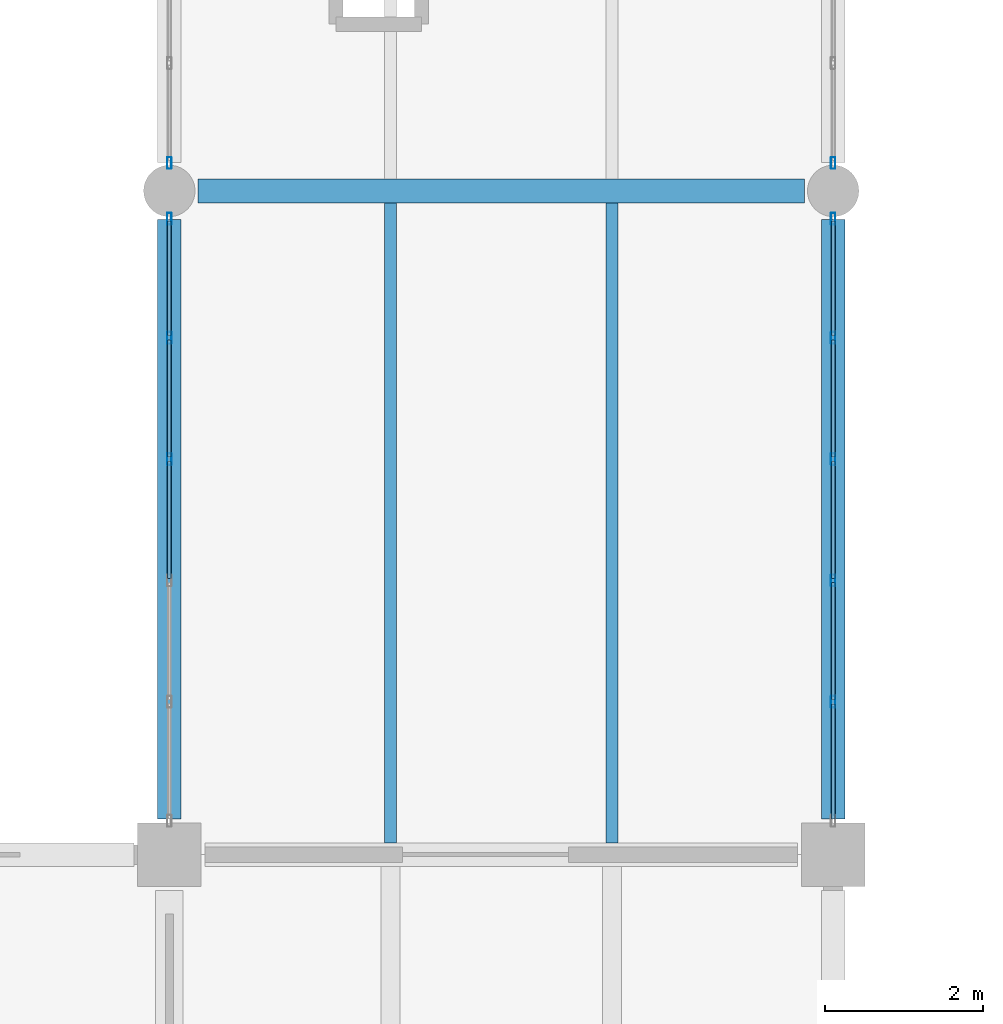
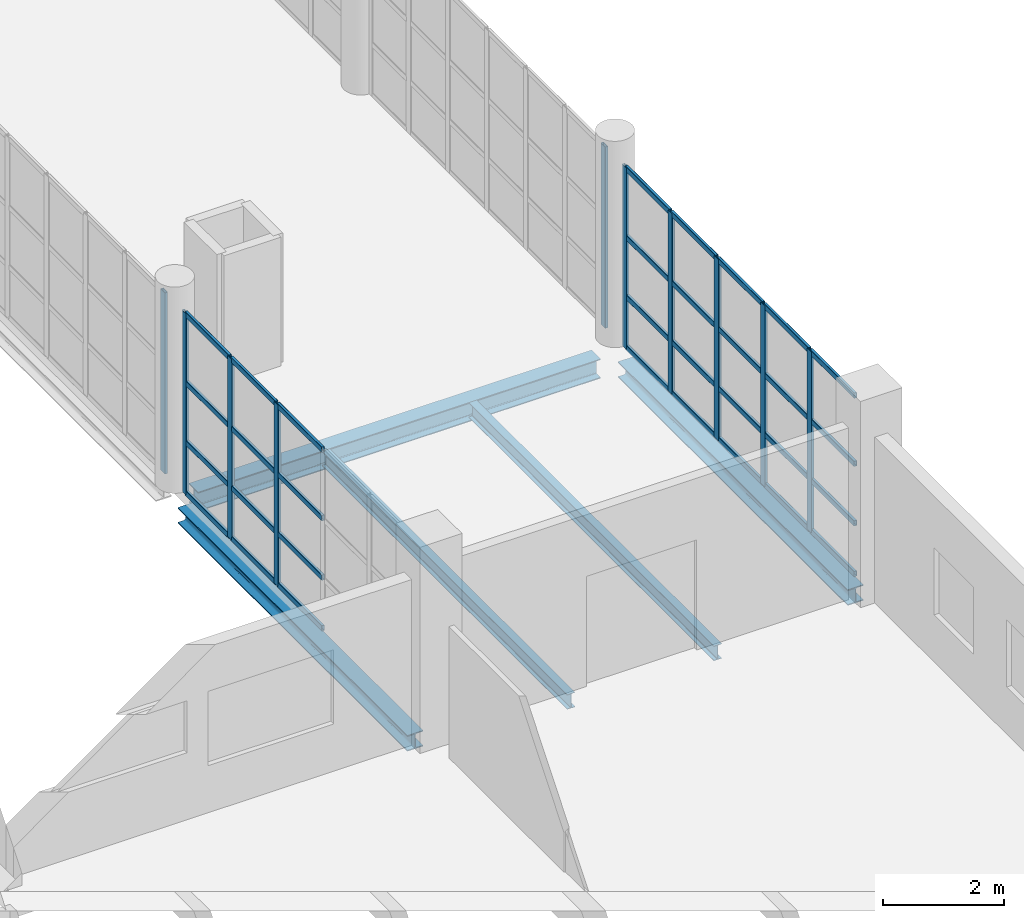
# One storey, part 33 of 177: 42 members, 5 beams, 4 elements without a shape of their own.
"""IFC4 building model written with IfcOpenShell, lengths in metres."""

from ifc_helpers import new_model, si_unit, direction, frame, origin, origin_2d, place, context, subcontext, project, spatial, hollow_rectangle, i_section, extrude, material, layer, layer_set, material_profile, profile_set, type_object, element, aggregate, save


model = new_model("IFC4")

# Units and contexts
model_context = context("Model", 3, precision=1e-05, world=origin(), true_north=direction((0.0, 1.0)))
body_context = subcontext(model_context, "Body", "Model", "MODEL_VIEW")
ifc_project = project(units=[si_unit("LENGTHUNIT", "METRE"), si_unit("AREAUNIT", "SQUARE_METRE"), si_unit("VOLUMEUNIT", "CUBIC_METRE"), si_unit("PLANEANGLEUNIT", "RADIAN"), si_unit("MASSUNIT", "GRAM", prefix="KILO"), si_unit("THERMODYNAMICTEMPERATUREUNIT", "KELVIN"), si_unit("POWERUNIT", "WATT")], contexts=[model_context])

# Site, building, storey
site_placement = place(None, origin())
site = spatial("IfcSite", under=ifc_project, at=site_placement, CompositionType="ELEMENT")
building_placement = place(site_placement, origin())
building = spatial("IfcBuilding", under=site, at=building_placement, Name="Mavoryth Pier Ferry Terminal", CompositionType="ELEMENT")
storey_placement = place(building_placement, frame((0.0, 0.0, 5.43994140625)))
storey = spatial("IfcBuildingStorey", under=building, at=storey_placement, Name="L01", CompositionType="ELEMENT", Elevation=5.43994140625)

# Beams
ifc_material_1 = material(Name="Steel S355J2", Category="steel")
ifc_material_profile_1 = material_profile(ifc_material_1, i_section(OverallWidth=0.300048828125, OverallDepth=0.389892578125, WebThickness=0.010986328125, FlangeThickness=0.01904296875, FilletRadius=0.027099609375, at=origin_2d()), Name="HEA 400", Category="steel")
ifc_profile_set_1 = profile_set([ifc_material_profile_1], Name="Steel S355J2 - HEA 400")
beam_type_1 = type_object("IfcBeamType", Name="Beam-Steel-HEA400", PredefinedType="BEAM", material=ifc_profile_set_1)
beam_placement = place(storey_placement, frame((50.760009765625, 47.199951171875, -0.43505859375), z_axis=(1.0, 0.0, 0.0), x_axis=(0.0, 1.0, 0.0)))
element("IfcBeam", 1, at=beam_placement, inside=storey, type_object=beam_type_1, Name="Beam B01-SB04-0160", PredefinedType="BEAM", context=body_context, shape_type="SweptSolid", body=[
    extrude(i_section(OverallWidth=0.300048828125, OverallDepth=0.389892578125, WebThickness=0.010986328125, FlangeThickness=0.01904296875, FilletRadius=0.027099609375, at=origin_2d()), origin(), (0.0, 0.0, 1.0), 7.679931640625),
])
ifc_material_profile_2 = material_profile(ifc_material_1, i_section(OverallWidth=0.14990234375, OverallDepth=0.300048828125, WebThickness=0.007080078125, FlangeThickness=0.0107421875, FilletRadius=0.014892578125, at=origin_2d()), Name="IPE 300", Category="steel")
ifc_profile_set_2 = profile_set([ifc_material_profile_2], Name="Steel S355J2 - IPE 300")
beam_type_2 = type_object("IfcBeamType", Name="Joist-Steel-IPE300", PredefinedType="JOIST", material=ifc_profile_set_2)
for number, where, z_axis, x_axis, name in (
    (2, (53.199951171875, 38.949951171875, -0.389892578125), (0.0, 1.0, 0.0), (-1.0, 0.0, 0.0), "Beam B01-SJ04-0172"),
    (3, (56.0, 38.949951171875, -0.389892578125), (0.0, 1.0, 0.0), (-1.0, 0.0, 0.0), "Beam B01-SJ04-0173"),
):
    element("IfcBeam", number, at=place(storey_placement, frame(where, z_axis=z_axis, x_axis=x_axis)), inside=storey, type_object=beam_type_2, Name=name, PredefinedType="JOIST", context=body_context, shape_type="SweptSolid", body=[
        extrude(i_section(OverallWidth=0.14990234375, OverallDepth=0.300048828125, WebThickness=0.007080078125, FlangeThickness=0.0107421875, FilletRadius=0.014892578125, at=origin_2d()), origin(), (0.0, 0.0, 1.0), 8.10009765625),
    ])

# Curtain wall, members
ifc_material_2 = material(Name="Anodised Aluminium and Solar-Control Low-E Glass", Category="aluminium")
ifc_layer = layer(ifc_material_2, 0.1201171875, Name="Anodised Aluminium and Solar-Control Low-E Glass", Category="aluminium")
ifc_layer_set = layer_set([ifc_layer], Name="Anodised Aluminium and Solar-Control Low-E Glass - CW-BridgeLink-Mod1400")
curtain_wall_type = type_object("IfcCurtainWallType", Name="CW-BridgeLink-Mod1400", PredefinedType="USERDEFINED", material=ifc_layer_set)
curtain_wall_1_placement = place(storey_placement, origin())
curtain_wall_1 = element("IfcCurtainWall", 4, at=curtain_wall_1_placement, inside=storey, type_object=curtain_wall_type, Name="Curtain Wall CW-0111-102", ObjectType="UNITISED CURTAIN WALL", PredefinedType="USERDEFINED")
ifc_material_3 = material(Name="Anodised Aluminium EN AW-6063", Category="aluminium")
ifc_material_profile_3 = material_profile(ifc_material_3, hollow_rectangle(XDim=0.054931640625, YDim=0.14990234375, WallThickness=0.00390625, InnerFilletRadius=0.00390625, OuterFilletRadius=0.008056640625, at=origin_2d()), Name="AL-MULL 150x55x4", Category="aluminium")
ifc_profile_set_3 = profile_set([ifc_material_profile_3], Name="Anodised Aluminium EN AW-6063 - AL-MULL 150x55x4")
member_type_1 = type_object("IfcMemberType", Name="Mullion-Alum-150x55", PredefinedType="MULLION", material=ifc_profile_set_3)
member_1_placement = place(storey_placement, frame((50.39990234375, 46.847412109375, 0.0), z_axis=(0.0, 0.0, 1.0), x_axis=(1.0, 0.0, 0.0)))
member_1 = element("IfcMember", 5, at=member_1_placement, type_object=member_type_1, Name="CW08 mullion 1", PredefinedType="MULLION", context=body_context, shape_type="SweptSolid", body=[
    extrude(hollow_rectangle(XDim=0.054931640625, YDim=0.14990234375, WallThickness=0.00390625, InnerFilletRadius=0.00390625, OuterFilletRadius=0.008056640625, at=origin_2d()), origin(), (0.0, 0.0, 1.0), 3.655029296875),
])
member_2_placement = place(storey_placement, frame((50.39990234375, 45.340087890625, 0.0), z_axis=(0.0, 0.0, 1.0), x_axis=(1.0, 0.0, 0.0)))
member_2 = element("IfcMember", 6, at=member_2_placement, type_object=member_type_1, Name="CW08 mullion 2", PredefinedType="MULLION", context=body_context, shape_type="SweptSolid", body=[
    extrude(hollow_rectangle(XDim=0.054931640625, YDim=0.14990234375, WallThickness=0.00390625, InnerFilletRadius=0.00390625, OuterFilletRadius=0.008056640625, at=origin_2d()), origin(), (0.0, 0.0, 1.0), 3.655029296875),
])
member_3_placement = place(storey_placement, frame((50.39990234375, 43.804931640625, 0.0), z_axis=(0.0, 0.0, 1.0), x_axis=(1.0, 0.0, 0.0)))
member_3 = element("IfcMember", 7, at=member_3_placement, type_object=member_type_1, Name="CW08 mullion 3", PredefinedType="MULLION", context=body_context, shape_type="SweptSolid", body=[
    extrude(hollow_rectangle(XDim=0.054931640625, YDim=0.14990234375, WallThickness=0.00390625, InnerFilletRadius=0.00390625, OuterFilletRadius=0.008056640625, at=origin_2d()), origin(), (0.0, 0.0, 1.0), 3.655029296875),
])

curtain_wall_2_placement = place(storey_placement, origin())
curtain_wall_2 = element("IfcCurtainWall", 8, at=curtain_wall_2_placement, inside=storey, type_object=curtain_wall_type, Name="Curtain Wall CW-0111-103", ObjectType="UNITISED CURTAIN WALL", PredefinedType="USERDEFINED")
member_4_placement = place(storey_placement, frame((58.800048828125, 40.735107421875, 0.0), z_axis=(0.0, 0.0, 1.0), x_axis=(-1.0, 0.0, 0.0)))
member_4 = element("IfcMember", 9, at=member_4_placement, type_object=member_type_1, Name="CW08 mullion 2", PredefinedType="MULLION", context=body_context, shape_type="SweptSolid", body=[
    extrude(hollow_rectangle(XDim=0.054931640625, YDim=0.14990234375, WallThickness=0.00390625, InnerFilletRadius=0.00390625, OuterFilletRadius=0.008056640625, at=origin_2d()), origin(), (0.0, 0.0, 1.0), 3.655029296875),
])
member_5_placement = place(storey_placement, frame((58.800048828125, 42.27001953125, 0.0), z_axis=(0.0, 0.0, 1.0), x_axis=(-1.0, 0.0, 0.0)))
member_5 = element("IfcMember", 10, at=member_5_placement, type_object=member_type_1, Name="CW08 mullion 3", PredefinedType="MULLION", context=body_context, shape_type="SweptSolid", body=[
    extrude(hollow_rectangle(XDim=0.054931640625, YDim=0.14990234375, WallThickness=0.00390625, InnerFilletRadius=0.00390625, OuterFilletRadius=0.008056640625, at=origin_2d()), origin(), (0.0, 0.0, 1.0), 3.655029296875),
])
member_6_placement = place(storey_placement, frame((58.800048828125, 43.804931640625, 0.0), z_axis=(0.0, 0.0, 1.0), x_axis=(-1.0, 0.0, 0.0)))
member_6 = element("IfcMember", 11, at=member_6_placement, type_object=member_type_1, Name="CW08 mullion 4", PredefinedType="MULLION", context=body_context, shape_type="SweptSolid", body=[
    extrude(hollow_rectangle(XDim=0.054931640625, YDim=0.14990234375, WallThickness=0.00390625, InnerFilletRadius=0.00390625, OuterFilletRadius=0.008056640625, at=origin_2d()), origin(), (0.0, 0.0, 1.0), 3.655029296875),
])
member_7_placement = place(storey_placement, frame((58.800048828125, 45.340087890625, 0.0), z_axis=(0.0, 0.0, 1.0), x_axis=(-1.0, 0.0, 0.0)))
member_7 = element("IfcMember", 12, at=member_7_placement, type_object=member_type_1, Name="CW08 mullion 5", PredefinedType="MULLION", context=body_context, shape_type="SweptSolid", body=[
    extrude(hollow_rectangle(XDim=0.054931640625, YDim=0.14990234375, WallThickness=0.00390625, InnerFilletRadius=0.00390625, OuterFilletRadius=0.008056640625, at=origin_2d()), origin(), (0.0, 0.0, 1.0), 3.655029296875),
])
member_8_placement = place(storey_placement, frame((58.800048828125, 46.847412109375, 0.0), z_axis=(0.0, 0.0, 1.0), x_axis=(-1.0, 0.0, 0.0)))
member_8 = element("IfcMember", 13, at=member_8_placement, type_object=member_type_1, Name="CW08 mullion 6", PredefinedType="MULLION", context=body_context, shape_type="SweptSolid", body=[
    extrude(hollow_rectangle(XDim=0.054931640625, YDim=0.14990234375, WallThickness=0.00390625, InnerFilletRadius=0.00390625, OuterFilletRadius=0.008056640625, at=origin_2d()), origin(), (0.0, 0.0, 1.0), 3.655029296875),
])

# Curtain wall, member
curtain_wall_3_placement = place(storey_placement, origin())
curtain_wall_3 = element("IfcCurtainWall", 14, at=curtain_wall_3_placement, inside=storey, type_object=curtain_wall_type, Name="Curtain Wall CW-0111-104", ObjectType="UNITISED CURTAIN WALL", PredefinedType="USERDEFINED")
member_9_placement = place(storey_placement, frame((50.39990234375, 47.552490234375, 0.0), z_axis=(0.0, 0.0, 1.0), x_axis=(1.0, 0.0, 0.0)))
member_9 = element("IfcMember", 15, at=member_9_placement, type_object=member_type_1, Name="CW08 mullion 7", PredefinedType="MULLION", context=body_context, shape_type="SweptSolid", body=[
    extrude(hollow_rectangle(XDim=0.054931640625, YDim=0.14990234375, WallThickness=0.00390625, InnerFilletRadius=0.00390625, OuterFilletRadius=0.008056640625, at=origin_2d()), origin(), (0.0, 0.0, 1.0), 3.655029296875),
])
aggregate(curtain_wall_3, [member_9])

curtain_wall_4_placement = place(storey_placement, origin())
curtain_wall_4 = element("IfcCurtainWall", 16, at=curtain_wall_4_placement, inside=storey, type_object=curtain_wall_type, Name="Curtain Wall CW-0111-105", ObjectType="UNITISED CURTAIN WALL", PredefinedType="USERDEFINED")
member_10_placement = place(storey_placement, frame((58.800048828125, 47.552490234375, 0.0), z_axis=(0.0, 0.0, 1.0), x_axis=(-1.0, 0.0, 0.0)))
member_10 = element("IfcMember", 17, at=member_10_placement, type_object=member_type_1, Name="CW08 mullion 1", PredefinedType="MULLION", context=body_context, shape_type="SweptSolid", body=[
    extrude(hollow_rectangle(XDim=0.054931640625, YDim=0.14990234375, WallThickness=0.00390625, InnerFilletRadius=0.00390625, OuterFilletRadius=0.008056640625, at=origin_2d()), origin(), (0.0, 0.0, 1.0), 3.655029296875),
])
aggregate(curtain_wall_4, [member_10])

# Beams
ifc_material_profile_4 = material_profile(ifc_material_1, i_section(OverallWidth=0.300048828125, OverallDepth=0.320068359375, WebThickness=0.011474609375, FlangeThickness=0.0205078125, FilletRadius=0.027099609375, at=origin_2d()), Name="HEB 320", Category="steel")
ifc_profile_set_4 = profile_set([ifc_material_profile_4], Name="Steel S355J2 - HEB 320")
beam_type_3 = type_object("IfcBeamType", Name="Spandrel-Steel-HEB320", PredefinedType="SPANDREL", material=ifc_profile_set_4)
for number, where, z_axis, x_axis, name in (
    (18, (50.39990234375, 39.25, -0.39990234375), (0.0, 1.0, 0.0), (-1.0, 0.0, 0.0), "Beam B01-SP04-0164"),
    (19, (58.800048828125, 39.25, -0.39990234375), (0.0, 1.0, 0.0), (-1.0, 0.0, 0.0), "Beam B01-SP04-0168"),
):
    element("IfcBeam", number, at=place(storey_placement, frame(where, z_axis=z_axis, x_axis=x_axis)), inside=storey, type_object=beam_type_3, Name=name, PredefinedType="SPANDREL", context=body_context, shape_type="SweptSolid", body=[
        extrude(i_section(OverallWidth=0.300048828125, OverallDepth=0.320068359375, WebThickness=0.011474609375, FlangeThickness=0.0205078125, FilletRadius=0.027099609375, at=origin_2d()), origin(), (0.0, 0.0, 1.0), 7.590087890625),
    ])

# Member
ifc_material_profile_5 = material_profile(ifc_material_3, hollow_rectangle(XDim=0.054931640625, YDim=0.110107421875, WallThickness=0.00390625, InnerFilletRadius=0.00390625, OuterFilletRadius=0.008056640625, at=origin_2d()), Name="AL-TRAN 110x55x4", Category="aluminium")
ifc_profile_set_5 = profile_set([ifc_material_profile_5], Name="Anodised Aluminium EN AW-6063 - AL-TRAN 110x55x4")
member_type_2 = type_object("IfcMemberType", Name="Transom-Alum-110x55", PredefinedType="USERDEFINED", material=ifc_profile_set_5)
member_11_placement = place(storey_placement, frame((50.39990234375, 46.820068359375, 0.027587890625), z_axis=(0.0, -1.0, 0.0), x_axis=(1.0, 0.0, 0.0)))
member_11 = element("IfcMember", 20, at=member_11_placement, type_object=member_type_2, Name="CW08 transom 1.1", ObjectType="TRANSOM", PredefinedType="USERDEFINED", context=body_context, shape_type="SweptSolid", body=[
    extrude(hollow_rectangle(XDim=0.054931640625, YDim=0.110107421875, WallThickness=0.00390625, InnerFilletRadius=0.00390625, OuterFilletRadius=0.008056640625, at=origin_2d()), origin(), (0.0, 0.0, 1.0), 1.45263671875),
])

member_12_placement = place(storey_placement, frame((50.39990234375, 46.820068359375, 1.050048828125), z_axis=(0.0, -1.0, 0.0), x_axis=(1.0, 0.0, 0.0)))
member_12 = element("IfcMember", 21, at=member_12_placement, type_object=member_type_2, Name="CW08 transom 1.2", ObjectType="TRANSOM", PredefinedType="USERDEFINED", context=body_context, shape_type="SweptSolid", body=[
    extrude(hollow_rectangle(XDim=0.054931640625, YDim=0.110107421875, WallThickness=0.00390625, InnerFilletRadius=0.00390625, OuterFilletRadius=0.008056640625, at=origin_2d()), origin(), (0.0, 0.0, 1.0), 1.45263671875),
])

member_13_placement = place(storey_placement, frame((50.39990234375, 46.820068359375, 2.25), z_axis=(0.0, -1.0, 0.0), x_axis=(1.0, 0.0, 0.0)))
member_13 = element("IfcMember", 22, at=member_13_placement, type_object=member_type_2, Name="CW08 transom 1.3", ObjectType="TRANSOM", PredefinedType="USERDEFINED", context=body_context, shape_type="SweptSolid", body=[
    extrude(hollow_rectangle(XDim=0.054931640625, YDim=0.110107421875, WallThickness=0.00390625, InnerFilletRadius=0.00390625, OuterFilletRadius=0.008056640625, at=origin_2d()), origin(), (0.0, 0.0, 1.0), 1.45263671875),
])

member_14_placement = place(storey_placement, frame((50.39990234375, 46.820068359375, 3.62744140625), z_axis=(0.0, -1.0, 0.0), x_axis=(1.0, 0.0, 0.0)))
member_14 = element("IfcMember", 23, at=member_14_placement, type_object=member_type_2, Name="CW08 transom 1.4", ObjectType="TRANSOM", PredefinedType="USERDEFINED", context=body_context, shape_type="SweptSolid", body=[
    extrude(hollow_rectangle(XDim=0.054931640625, YDim=0.110107421875, WallThickness=0.00390625, InnerFilletRadius=0.00390625, OuterFilletRadius=0.008056640625, at=origin_2d()), origin(), (0.0, 0.0, 1.0), 1.45263671875),
])

member_15_placement = place(storey_placement, frame((50.39990234375, 45.3125, 0.027587890625), z_axis=(0.0, -1.0, 0.0), x_axis=(1.0, 0.0, 0.0)))
member_15 = element("IfcMember", 24, at=member_15_placement, type_object=member_type_2, Name="CW08 transom 2.1", ObjectType="TRANSOM", PredefinedType="USERDEFINED", context=body_context, shape_type="SweptSolid", body=[
    extrude(hollow_rectangle(XDim=0.054931640625, YDim=0.110107421875, WallThickness=0.00390625, InnerFilletRadius=0.00390625, OuterFilletRadius=0.008056640625, at=origin_2d()), origin(), (0.0, 0.0, 1.0), 1.47998046875),
])

member_16_placement = place(storey_placement, frame((50.39990234375, 45.3125, 1.050048828125), z_axis=(0.0, -1.0, 0.0), x_axis=(1.0, 0.0, 0.0)))
member_16 = element("IfcMember", 25, at=member_16_placement, type_object=member_type_2, Name="CW08 transom 2.2", ObjectType="TRANSOM", PredefinedType="USERDEFINED", context=body_context, shape_type="SweptSolid", body=[
    extrude(hollow_rectangle(XDim=0.054931640625, YDim=0.110107421875, WallThickness=0.00390625, InnerFilletRadius=0.00390625, OuterFilletRadius=0.008056640625, at=origin_2d()), origin(), (0.0, 0.0, 1.0), 1.47998046875),
])

member_17_placement = place(storey_placement, frame((50.39990234375, 45.3125, 2.25), z_axis=(0.0, -1.0, 0.0), x_axis=(1.0, 0.0, 0.0)))
member_17 = element("IfcMember", 26, at=member_17_placement, type_object=member_type_2, Name="CW08 transom 2.3", ObjectType="TRANSOM", PredefinedType="USERDEFINED", context=body_context, shape_type="SweptSolid", body=[
    extrude(hollow_rectangle(XDim=0.054931640625, YDim=0.110107421875, WallThickness=0.00390625, InnerFilletRadius=0.00390625, OuterFilletRadius=0.008056640625, at=origin_2d()), origin(), (0.0, 0.0, 1.0), 1.47998046875),
])

member_18_placement = place(storey_placement, frame((50.39990234375, 45.3125, 3.62744140625), z_axis=(0.0, -1.0, 0.0), x_axis=(1.0, 0.0, 0.0)))
member_18 = element("IfcMember", 27, at=member_18_placement, type_object=member_type_2, Name="CW08 transom 2.4", ObjectType="TRANSOM", PredefinedType="USERDEFINED", context=body_context, shape_type="SweptSolid", body=[
    extrude(hollow_rectangle(XDim=0.054931640625, YDim=0.110107421875, WallThickness=0.00390625, InnerFilletRadius=0.00390625, OuterFilletRadius=0.008056640625, at=origin_2d()), origin(), (0.0, 0.0, 1.0), 1.47998046875),
])

member_19_placement = place(storey_placement, frame((50.39990234375, 43.777587890625, 0.027587890625), z_axis=(0.0, -1.0, 0.0), x_axis=(1.0, 0.0, 0.0)))
member_19 = element("IfcMember", 28, at=member_19_placement, type_object=member_type_2, Name="CW08 transom 3.1", ObjectType="TRANSOM", PredefinedType="USERDEFINED", context=body_context, shape_type="SweptSolid", body=[
    extrude(hollow_rectangle(XDim=0.054931640625, YDim=0.110107421875, WallThickness=0.00390625, InnerFilletRadius=0.00390625, OuterFilletRadius=0.008056640625, at=origin_2d()), origin(), (0.0, 0.0, 1.0), 1.47998046875),
])

member_20_placement = place(storey_placement, frame((50.39990234375, 43.777587890625, 1.050048828125), z_axis=(0.0, -1.0, 0.0), x_axis=(1.0, 0.0, 0.0)))
member_20 = element("IfcMember", 29, at=member_20_placement, type_object=member_type_2, Name="CW08 transom 3.2", ObjectType="TRANSOM", PredefinedType="USERDEFINED", context=body_context, shape_type="SweptSolid", body=[
    extrude(hollow_rectangle(XDim=0.054931640625, YDim=0.110107421875, WallThickness=0.00390625, InnerFilletRadius=0.00390625, OuterFilletRadius=0.008056640625, at=origin_2d()), origin(), (0.0, 0.0, 1.0), 1.47998046875),
])

member_21_placement = place(storey_placement, frame((50.39990234375, 43.777587890625, 2.25), z_axis=(0.0, -1.0, 0.0), x_axis=(1.0, 0.0, 0.0)))
member_21 = element("IfcMember", 30, at=member_21_placement, type_object=member_type_2, Name="CW08 transom 3.3", ObjectType="TRANSOM", PredefinedType="USERDEFINED", context=body_context, shape_type="SweptSolid", body=[
    extrude(hollow_rectangle(XDim=0.054931640625, YDim=0.110107421875, WallThickness=0.00390625, InnerFilletRadius=0.00390625, OuterFilletRadius=0.008056640625, at=origin_2d()), origin(), (0.0, 0.0, 1.0), 1.47998046875),
])

member_22_placement = place(storey_placement, frame((50.39990234375, 43.777587890625, 3.62744140625), z_axis=(0.0, -1.0, 0.0), x_axis=(1.0, 0.0, 0.0)))
member_22 = element("IfcMember", 31, at=member_22_placement, type_object=member_type_2, Name="CW08 transom 3.4", ObjectType="TRANSOM", PredefinedType="USERDEFINED", context=body_context, shape_type="SweptSolid", body=[
    extrude(hollow_rectangle(XDim=0.054931640625, YDim=0.110107421875, WallThickness=0.00390625, InnerFilletRadius=0.00390625, OuterFilletRadius=0.008056640625, at=origin_2d()), origin(), (0.0, 0.0, 1.0), 1.47998046875),
])

aggregate(curtain_wall_1, [member_1, member_2, member_3, member_11, member_12, member_13, member_14, member_15, member_16, member_17, member_18, member_19, member_20, member_21, member_22])

member_23_placement = place(storey_placement, frame((58.800048828125, 39.2548828125, 0.027587890625), z_axis=(0.0, 1.0, 0.0), x_axis=(-1.0, 0.0, 0.0)))
member_23 = element("IfcMember", 32, at=member_23_placement, type_object=member_type_2, Name="CW08 transom 1.1", ObjectType="TRANSOM", PredefinedType="USERDEFINED", context=body_context, shape_type="SweptSolid", body=[
    extrude(hollow_rectangle(XDim=0.054931640625, YDim=0.110107421875, WallThickness=0.00390625, InnerFilletRadius=0.00390625, OuterFilletRadius=0.008056640625, at=origin_2d()), origin(), (0.0, 0.0, 1.0), 1.45263671875),
])

member_24_placement = place(storey_placement, frame((58.800048828125, 39.2548828125, 1.050048828125), z_axis=(0.0, 1.0, 0.0), x_axis=(-1.0, 0.0, 0.0)))
member_24 = element("IfcMember", 33, at=member_24_placement, type_object=member_type_2, Name="CW08 transom 1.2", ObjectType="TRANSOM", PredefinedType="USERDEFINED", context=body_context, shape_type="SweptSolid", body=[
    extrude(hollow_rectangle(XDim=0.054931640625, YDim=0.110107421875, WallThickness=0.00390625, InnerFilletRadius=0.00390625, OuterFilletRadius=0.008056640625, at=origin_2d()), origin(), (0.0, 0.0, 1.0), 1.45263671875),
])

member_25_placement = place(storey_placement, frame((58.800048828125, 39.2548828125, 2.25), z_axis=(0.0, 1.0, 0.0), x_axis=(-1.0, 0.0, 0.0)))
member_25 = element("IfcMember", 34, at=member_25_placement, type_object=member_type_2, Name="CW08 transom 1.3", ObjectType="TRANSOM", PredefinedType="USERDEFINED", context=body_context, shape_type="SweptSolid", body=[
    extrude(hollow_rectangle(XDim=0.054931640625, YDim=0.110107421875, WallThickness=0.00390625, InnerFilletRadius=0.00390625, OuterFilletRadius=0.008056640625, at=origin_2d()), origin(), (0.0, 0.0, 1.0), 1.45263671875),
])

member_26_placement = place(storey_placement, frame((58.800048828125, 39.2548828125, 3.62744140625), z_axis=(0.0, 1.0, 0.0), x_axis=(-1.0, 0.0, 0.0)))
member_26 = element("IfcMember", 35, at=member_26_placement, type_object=member_type_2, Name="CW08 transom 1.4", ObjectType="TRANSOM", PredefinedType="USERDEFINED", context=body_context, shape_type="SweptSolid", body=[
    extrude(hollow_rectangle(XDim=0.054931640625, YDim=0.110107421875, WallThickness=0.00390625, InnerFilletRadius=0.00390625, OuterFilletRadius=0.008056640625, at=origin_2d()), origin(), (0.0, 0.0, 1.0), 1.45263671875),
])

member_27_placement = place(storey_placement, frame((58.800048828125, 40.762451171875, 0.027587890625), z_axis=(0.0, 1.0, 0.0), x_axis=(-1.0, 0.0, 0.0)))
member_27 = element("IfcMember", 36, at=member_27_placement, type_object=member_type_2, Name="CW08 transom 2.1", ObjectType="TRANSOM", PredefinedType="USERDEFINED", context=body_context, shape_type="SweptSolid", body=[
    extrude(hollow_rectangle(XDim=0.054931640625, YDim=0.110107421875, WallThickness=0.00390625, InnerFilletRadius=0.00390625, OuterFilletRadius=0.008056640625, at=origin_2d()), origin(), (0.0, 0.0, 1.0), 1.47998046875),
])

member_28_placement = place(storey_placement, frame((58.800048828125, 40.762451171875, 1.050048828125), z_axis=(0.0, 1.0, 0.0), x_axis=(-1.0, 0.0, 0.0)))
member_28 = element("IfcMember", 37, at=member_28_placement, type_object=member_type_2, Name="CW08 transom 2.2", ObjectType="TRANSOM", PredefinedType="USERDEFINED", context=body_context, shape_type="SweptSolid", body=[
    extrude(hollow_rectangle(XDim=0.054931640625, YDim=0.110107421875, WallThickness=0.00390625, InnerFilletRadius=0.00390625, OuterFilletRadius=0.008056640625, at=origin_2d()), origin(), (0.0, 0.0, 1.0), 1.47998046875),
])

member_29_placement = place(storey_placement, frame((58.800048828125, 40.762451171875, 2.25), z_axis=(0.0, 1.0, 0.0), x_axis=(-1.0, 0.0, 0.0)))
member_29 = element("IfcMember", 38, at=member_29_placement, type_object=member_type_2, Name="CW08 transom 2.3", ObjectType="TRANSOM", PredefinedType="USERDEFINED", context=body_context, shape_type="SweptSolid", body=[
    extrude(hollow_rectangle(XDim=0.054931640625, YDim=0.110107421875, WallThickness=0.00390625, InnerFilletRadius=0.00390625, OuterFilletRadius=0.008056640625, at=origin_2d()), origin(), (0.0, 0.0, 1.0), 1.47998046875),
])

member_30_placement = place(storey_placement, frame((58.800048828125, 40.762451171875, 3.62744140625), z_axis=(0.0, 1.0, 0.0), x_axis=(-1.0, 0.0, 0.0)))
member_30 = element("IfcMember", 39, at=member_30_placement, type_object=member_type_2, Name="CW08 transom 2.4", ObjectType="TRANSOM", PredefinedType="USERDEFINED", context=body_context, shape_type="SweptSolid", body=[
    extrude(hollow_rectangle(XDim=0.054931640625, YDim=0.110107421875, WallThickness=0.00390625, InnerFilletRadius=0.00390625, OuterFilletRadius=0.008056640625, at=origin_2d()), origin(), (0.0, 0.0, 1.0), 1.47998046875),
])

member_31_placement = place(storey_placement, frame((58.800048828125, 42.297607421875, 0.027587890625), z_axis=(0.0, 1.0, 0.0), x_axis=(-1.0, 0.0, 0.0)))
member_31 = element("IfcMember", 40, at=member_31_placement, type_object=member_type_2, Name="CW08 transom 3.1", ObjectType="TRANSOM", PredefinedType="USERDEFINED", context=body_context, shape_type="SweptSolid", body=[
    extrude(hollow_rectangle(XDim=0.054931640625, YDim=0.110107421875, WallThickness=0.00390625, InnerFilletRadius=0.00390625, OuterFilletRadius=0.008056640625, at=origin_2d()), origin(), (0.0, 0.0, 1.0), 1.47998046875),
])

member_32_placement = place(storey_placement, frame((58.800048828125, 42.297607421875, 1.050048828125), z_axis=(0.0, 1.0, 0.0), x_axis=(-1.0, 0.0, 0.0)))
member_32 = element("IfcMember", 41, at=member_32_placement, type_object=member_type_2, Name="CW08 transom 3.2", ObjectType="TRANSOM", PredefinedType="USERDEFINED", context=body_context, shape_type="SweptSolid", body=[
    extrude(hollow_rectangle(XDim=0.054931640625, YDim=0.110107421875, WallThickness=0.00390625, InnerFilletRadius=0.00390625, OuterFilletRadius=0.008056640625, at=origin_2d()), origin(), (0.0, 0.0, 1.0), 1.47998046875),
])

member_33_placement = place(storey_placement, frame((58.800048828125, 42.297607421875, 2.25), z_axis=(0.0, 1.0, 0.0), x_axis=(-1.0, 0.0, 0.0)))
member_33 = element("IfcMember", 42, at=member_33_placement, type_object=member_type_2, Name="CW08 transom 3.3", ObjectType="TRANSOM", PredefinedType="USERDEFINED", context=body_context, shape_type="SweptSolid", body=[
    extrude(hollow_rectangle(XDim=0.054931640625, YDim=0.110107421875, WallThickness=0.00390625, InnerFilletRadius=0.00390625, OuterFilletRadius=0.008056640625, at=origin_2d()), origin(), (0.0, 0.0, 1.0), 1.47998046875),
])

member_34_placement = place(storey_placement, frame((58.800048828125, 42.297607421875, 3.62744140625), z_axis=(0.0, 1.0, 0.0), x_axis=(-1.0, 0.0, 0.0)))
member_34 = element("IfcMember", 43, at=member_34_placement, type_object=member_type_2, Name="CW08 transom 3.4", ObjectType="TRANSOM", PredefinedType="USERDEFINED", context=body_context, shape_type="SweptSolid", body=[
    extrude(hollow_rectangle(XDim=0.054931640625, YDim=0.110107421875, WallThickness=0.00390625, InnerFilletRadius=0.00390625, OuterFilletRadius=0.008056640625, at=origin_2d()), origin(), (0.0, 0.0, 1.0), 1.47998046875),
])

member_35_placement = place(storey_placement, frame((58.800048828125, 43.83251953125, 0.027587890625), z_axis=(0.0, 1.0, 0.0), x_axis=(-1.0, 0.0, 0.0)))
member_35 = element("IfcMember", 44, at=member_35_placement, type_object=member_type_2, Name="CW08 transom 4.1", ObjectType="TRANSOM", PredefinedType="USERDEFINED", context=body_context, shape_type="SweptSolid", body=[
    extrude(hollow_rectangle(XDim=0.054931640625, YDim=0.110107421875, WallThickness=0.00390625, InnerFilletRadius=0.00390625, OuterFilletRadius=0.008056640625, at=origin_2d()), origin(), (0.0, 0.0, 1.0), 1.47998046875),
])

member_36_placement = place(storey_placement, frame((58.800048828125, 43.83251953125, 1.050048828125), z_axis=(0.0, 1.0, 0.0), x_axis=(-1.0, 0.0, 0.0)))
member_36 = element("IfcMember", 45, at=member_36_placement, type_object=member_type_2, Name="CW08 transom 4.2", ObjectType="TRANSOM", PredefinedType="USERDEFINED", context=body_context, shape_type="SweptSolid", body=[
    extrude(hollow_rectangle(XDim=0.054931640625, YDim=0.110107421875, WallThickness=0.00390625, InnerFilletRadius=0.00390625, OuterFilletRadius=0.008056640625, at=origin_2d()), origin(), (0.0, 0.0, 1.0), 1.47998046875),
])

member_37_placement = place(storey_placement, frame((58.800048828125, 43.83251953125, 2.25), z_axis=(0.0, 1.0, 0.0), x_axis=(-1.0, 0.0, 0.0)))
member_37 = element("IfcMember", 46, at=member_37_placement, type_object=member_type_2, Name="CW08 transom 4.3", ObjectType="TRANSOM", PredefinedType="USERDEFINED", context=body_context, shape_type="SweptSolid", body=[
    extrude(hollow_rectangle(XDim=0.054931640625, YDim=0.110107421875, WallThickness=0.00390625, InnerFilletRadius=0.00390625, OuterFilletRadius=0.008056640625, at=origin_2d()), origin(), (0.0, 0.0, 1.0), 1.47998046875),
])

member_38_placement = place(storey_placement, frame((58.800048828125, 43.83251953125, 3.62744140625), z_axis=(0.0, 1.0, 0.0), x_axis=(-1.0, 0.0, 0.0)))
member_38 = element("IfcMember", 47, at=member_38_placement, type_object=member_type_2, Name="CW08 transom 4.4", ObjectType="TRANSOM", PredefinedType="USERDEFINED", context=body_context, shape_type="SweptSolid", body=[
    extrude(hollow_rectangle(XDim=0.054931640625, YDim=0.110107421875, WallThickness=0.00390625, InnerFilletRadius=0.00390625, OuterFilletRadius=0.008056640625, at=origin_2d()), origin(), (0.0, 0.0, 1.0), 1.47998046875),
])

member_39_placement = place(storey_placement, frame((58.800048828125, 45.367431640625, 0.027587890625), z_axis=(0.0, 1.0, 0.0), x_axis=(-1.0, 0.0, 0.0)))
member_39 = element("IfcMember", 48, at=member_39_placement, type_object=member_type_2, Name="CW08 transom 5.1", ObjectType="TRANSOM", PredefinedType="USERDEFINED", context=body_context, shape_type="SweptSolid", body=[
    extrude(hollow_rectangle(XDim=0.054931640625, YDim=0.110107421875, WallThickness=0.00390625, InnerFilletRadius=0.00390625, OuterFilletRadius=0.008056640625, at=origin_2d()), origin(), (0.0, 0.0, 1.0), 1.45263671875),
])

member_40_placement = place(storey_placement, frame((58.800048828125, 45.367431640625, 1.050048828125), z_axis=(0.0, 1.0, 0.0), x_axis=(-1.0, 0.0, 0.0)))
member_40 = element("IfcMember", 49, at=member_40_placement, type_object=member_type_2, Name="CW08 transom 5.2", ObjectType="TRANSOM", PredefinedType="USERDEFINED", context=body_context, shape_type="SweptSolid", body=[
    extrude(hollow_rectangle(XDim=0.054931640625, YDim=0.110107421875, WallThickness=0.00390625, InnerFilletRadius=0.00390625, OuterFilletRadius=0.008056640625, at=origin_2d()), origin(), (0.0, 0.0, 1.0), 1.45263671875),
])

member_41_placement = place(storey_placement, frame((58.800048828125, 45.367431640625, 2.25), z_axis=(0.0, 1.0, 0.0), x_axis=(-1.0, 0.0, 0.0)))
member_41 = element("IfcMember", 50, at=member_41_placement, type_object=member_type_2, Name="CW08 transom 5.3", ObjectType="TRANSOM", PredefinedType="USERDEFINED", context=body_context, shape_type="SweptSolid", body=[
    extrude(hollow_rectangle(XDim=0.054931640625, YDim=0.110107421875, WallThickness=0.00390625, InnerFilletRadius=0.00390625, OuterFilletRadius=0.008056640625, at=origin_2d()), origin(), (0.0, 0.0, 1.0), 1.45263671875),
])

member_42_placement = place(storey_placement, frame((58.800048828125, 45.367431640625, 3.62744140625), z_axis=(0.0, 1.0, 0.0), x_axis=(-1.0, 0.0, 0.0)))
member_42 = element("IfcMember", 51, at=member_42_placement, type_object=member_type_2, Name="CW08 transom 5.4", ObjectType="TRANSOM", PredefinedType="USERDEFINED", context=body_context, shape_type="SweptSolid", body=[
    extrude(hollow_rectangle(XDim=0.054931640625, YDim=0.110107421875, WallThickness=0.00390625, InnerFilletRadius=0.00390625, OuterFilletRadius=0.008056640625, at=origin_2d()), origin(), (0.0, 0.0, 1.0), 1.45263671875),
])

aggregate(curtain_wall_2, [member_4, member_5, member_6, member_7, member_8, member_23, member_24, member_25, member_26, member_27, member_28, member_29, member_30, member_31, member_32, member_33, member_34, member_35, member_36, member_37, member_38, member_39, member_40, member_41, member_42])

save(model, "model.ifc")
